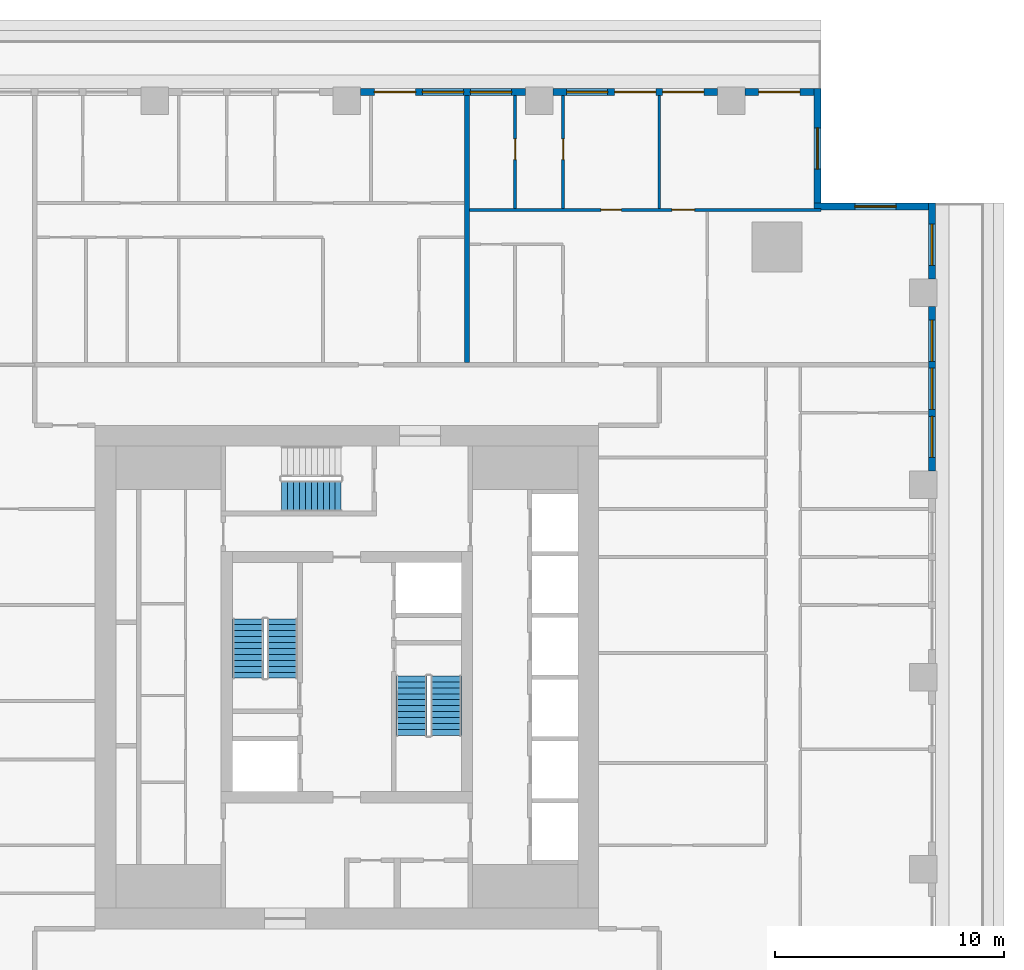
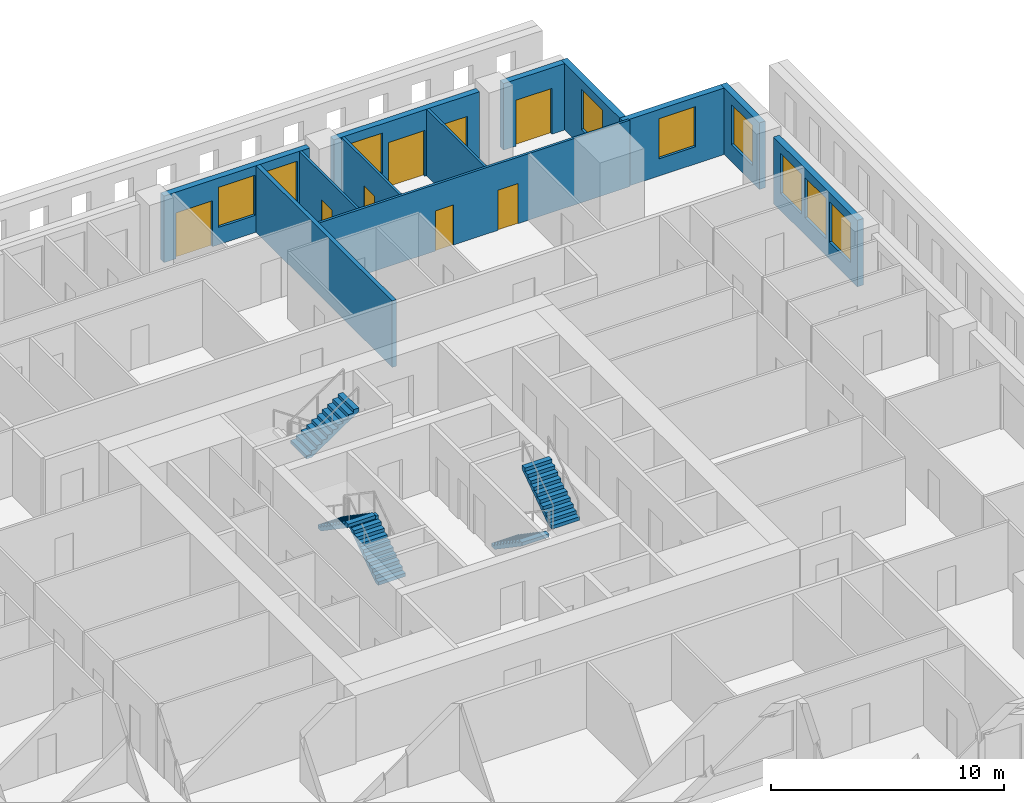
# One storey, part 9 of 15: 12 walls, 9 windows, 8 doors, 5 stair flights, 17 openings, 3 elements without a shape of their own.
"""IFC4 building model written with IfcOpenShell, lengths in metres."""

from ifc_helpers import new_model, si_unit, direction, frame, frame_2d, origin, place, context, subcontext, project, spatial, polyline, rectangle, outline, extrude, material, layer, layer_set, type_object, element, fill, aggregate, save


model = new_model("IFC4")

# Units and contexts
model_context = context("Model", 3, precision=1e-05, world=origin(), true_north=direction((0.0, 1.0)))
body_context = subcontext(model_context, "Body", "Model", "MODEL_VIEW")
ifc_project = project(units=[si_unit("LENGTHUNIT", "METRE"), si_unit("AREAUNIT", "SQUARE_METRE"), si_unit("VOLUMEUNIT", "CUBIC_METRE"), si_unit("PLANEANGLEUNIT", "RADIAN"), si_unit("MASSUNIT", "GRAM", prefix="KILO")], contexts=[model_context])

# Site, building, storey
site_placement = place(None, origin())
site = spatial("IfcSite", under=ifc_project, at=site_placement, CompositionType="ELEMENT")
building_placement = place(site_placement, origin())
building = spatial("IfcBuilding", under=site, at=building_placement, Name="Khepri Terraces", CompositionType="ELEMENT")
storey_placement = place(building_placement, frame((0.0, 0.0, 252.300048828125)))
storey = spatial("IfcBuildingStorey", under=building, at=storey_placement, Name="L60", CompositionType="ELEMENT", Elevation=252.300048828125)

# Wall
ifc_material_1 = material(Name="Fire-rated gypsum plasterboard partition, mineral wool")
ifc_layer_1 = layer(ifc_material_1, 0.199951171875, Name="Fire-rated gypsum plasterboard partition, mineral wool")
ifc_layer_set_1 = layer_set([ifc_layer_1], Name="Fire-rated gypsum plasterboard partition, mineral wool")
wall_type_1 = type_object("IfcWallType", Name="WL-CORR-200", PredefinedType="PARTITIONING", material=ifc_layer_set_1)
wall_1_placement = place(storey_placement, frame((5.25, 13.75, 0.0), z_axis=(0.0, 0.0, 1.0), x_axis=(0.0, 1.0, 0.0)))
element("IfcWall", 1, at=wall_1_placement, inside=storey, type_object=wall_type_1, Name="Partition P-089 L60", PredefinedType="PARTITIONING", context=body_context, shape_type="SweptSolid", body=[
    extrude(rectangle(XDim=11.669921875, YDim=0.199951171875, at=frame_2d((5.8349609375, 0.0))), origin(), (0.0, 0.0, 1.0), 3.47998046875),
])

# Wall, openings, windows
ifc_material_2 = material(Name="Precast concrete C50/60 warm stone", Category="masonry")
ifc_layer_2 = layer(ifc_material_2, 0.300048828125, Name="Precast concrete C50/60 warm stone", Category="masonry")
ifc_layer_set_2 = layer_set([ifc_layer_2], Name="Precast concrete C50/60 warm stone")
wall_type_2 = type_object("IfcWallType", Name="WL-EXT-PRECAST-300", PredefinedType="STANDARD", material=ifc_layer_set_2)
wall_2_placement = place(storey_placement, frame((25.570068359375, 9.0, 0.0), z_axis=(0.0, 0.0, 1.0), x_axis=(0.0, 1.0, 0.0)))
wall_2 = element("IfcWall", 2, at=wall_2_placement, inside=storey, type_object=wall_type_2, Name="External wall L60 E", PredefinedType="STANDARD", context=body_context, shape_type="SweptSolid", body=[
    extrude(rectangle(XDim=7.199951171875, YDim=0.300048828125, at=frame_2d((3.60009765625, 0.0))), origin(), (0.0, 0.0, 1.0), 3.47998046875),
])
opening_1_placement = place(wall_2_placement, frame((0.60009765625, 0.0, 0.89990234375)))
opening_1 = element("IfcOpeningElement", 3, at=opening_1_placement, cuts=wall_2, Name="Opening W1", PredefinedType="OPENING", context=body_context, shape_type="SweptSolid", body=[
    extrude(rectangle(XDim=1.800048828125, YDim=2.10009765625, at=frame_2d((0.89990234375, 1.050048828125))), frame((0.0, 0.16015625, 0.0), z_axis=(0.0, -1.0, 0.0), x_axis=(1.0, 0.0, 0.0)), (0.0, 0.0, 1.0), 0.320068359375),
])
opening_2_placement = place(wall_2_placement, frame((2.699951171875, 0.0, 0.89990234375)))
opening_2 = element("IfcOpeningElement", 4, at=opening_2_placement, cuts=wall_2, Name="Opening W1", PredefinedType="OPENING", context=body_context, shape_type="SweptSolid", body=[
    extrude(rectangle(XDim=1.800048828125, YDim=2.10009765625, at=frame_2d((0.89990234375, 1.050048828125))), frame((0.0, 0.16015625, 0.0), z_axis=(0.0, -1.0, 0.0), x_axis=(1.0, 0.0, 0.0)), (0.0, 0.0, 1.0), 0.320068359375),
])
opening_3_placement = place(wall_2_placement, frame((4.800048828125, 0.0, 0.89990234375)))
opening_3 = element("IfcOpeningElement", 5, at=opening_3_placement, cuts=wall_2, Name="Opening W1", PredefinedType="OPENING", context=body_context, shape_type="SweptSolid", body=[
    extrude(rectangle(XDim=1.800048828125, YDim=2.10009765625, at=frame_2d((0.89990234375, 1.050048828125))), frame((0.0, 0.16015625, 0.0), z_axis=(0.0, -1.0, 0.0), x_axis=(1.0, 0.0, 0.0)), (0.0, 0.0, 1.0), 0.320068359375),
])
ifc_material_3 = material(Name="Clear glass", Category="glass")
window_type = type_object("IfcWindowType", Name="WIN-RES-1800x2100", PartitioningType="SINGLE_PANEL", PredefinedType="WINDOW", material=ifc_material_3)
window_1_placement = place(opening_1_placement, origin())
window_1 = element("IfcWindow", 6, at=window_1_placement, inside=storey, type_object=window_type, Name="Window L60 E", OverallHeight=2.10009765625, OverallWidth=1.800048828125, PartitioningType="SINGLE_PANEL", PredefinedType="WINDOW", context=body_context, shape_type="SweptSolid", body=[
    extrude(rectangle(XDim=1.800048828125, YDim=2.10009765625, at=frame_2d((0.89990234375, 1.050048828125))), frame((0.0, 0.030029296875, 0.0), z_axis=(0.0, -1.0, 0.0), x_axis=(1.0, 0.0, 0.0)), (0.0, 0.0, 1.0), 0.06005859375),
])
fill(opening_1, window_1)
window_2_placement = place(opening_2_placement, origin())
window_2 = element("IfcWindow", 7, at=window_2_placement, inside=storey, type_object=window_type, Name="Window L60 E", OverallHeight=2.10009765625, OverallWidth=1.800048828125, PartitioningType="SINGLE_PANEL", PredefinedType="WINDOW", context=body_context, shape_type="SweptSolid", body=[
    extrude(rectangle(XDim=1.800048828125, YDim=2.10009765625, at=frame_2d((0.89990234375, 1.050048828125))), frame((0.0, 0.030029296875, 0.0), z_axis=(0.0, -1.0, 0.0), x_axis=(1.0, 0.0, 0.0)), (0.0, 0.0, 1.0), 0.06005859375),
])
fill(opening_2, window_2)
window_3_placement = place(opening_3_placement, origin())
window_3 = element("IfcWindow", 8, at=window_3_placement, inside=storey, type_object=window_type, Name="Window L60 E", OverallHeight=2.10009765625, OverallWidth=1.800048828125, PartitioningType="SINGLE_PANEL", PredefinedType="WINDOW", context=body_context, shape_type="SweptSolid", body=[
    extrude(rectangle(XDim=1.800048828125, YDim=2.10009765625, at=frame_2d((0.89990234375, 1.050048828125))), frame((0.0, 0.030029296875, 0.0), z_axis=(0.0, -1.0, 0.0), x_axis=(1.0, 0.0, 0.0)), (0.0, 0.0, 1.0), 0.06005859375),
])
fill(opening_3, window_3)

# Wall, opening, window
wall_3_placement = place(storey_placement, frame((25.570068359375, 17.39990234375, 0.0), z_axis=(0.0, 0.0, 1.0), x_axis=(0.0, 1.0, 0.0)))
wall_3 = element("IfcWall", 9, at=wall_3_placement, inside=storey, type_object=wall_type_2, Name="External wall L60 E", PredefinedType="STANDARD", context=body_context, shape_type="SweptSolid", body=[
    extrude(rectangle(XDim=3.320068359375, YDim=0.300048828125, at=frame_2d((1.66015625, 0.0))), origin(), (0.0, 0.0, 1.0), 3.47998046875),
])
opening_4_placement = place(wall_3_placement, frame((0.60009765625, 0.0, 0.89990234375)))
opening_4 = element("IfcOpeningElement", 10, at=opening_4_placement, cuts=wall_3, Name="Opening W1", PredefinedType="OPENING", context=body_context, shape_type="SweptSolid", body=[
    extrude(rectangle(XDim=1.800048828125, YDim=2.10009765625, at=frame_2d((0.89990234375, 1.050048828125))), frame((0.0, 0.16015625, 0.0), z_axis=(0.0, -1.0, 0.0), x_axis=(1.0, 0.0, 0.0)), (0.0, 0.0, 1.0), 0.320068359375),
])
window_4_placement = place(opening_4_placement, origin())
window_4 = element("IfcWindow", 11, at=window_4_placement, inside=storey, type_object=window_type, Name="Window L60 E", OverallHeight=2.10009765625, OverallWidth=1.800048828125, PartitioningType="SINGLE_PANEL", PredefinedType="WINDOW", context=body_context, shape_type="SweptSolid", body=[
    extrude(rectangle(XDim=1.800048828125, YDim=2.10009765625, at=frame_2d((0.89990234375, 1.050048828125))), frame((0.0, 0.030029296875, 0.0), z_axis=(0.0, -1.0, 0.0), x_axis=(1.0, 0.0, 0.0)), (0.0, 0.0, 1.0), 0.06005859375),
])
fill(opening_4, window_4)

wall_4_placement = place(storey_placement, frame((25.419921875, 20.570068359375, 0.0), z_axis=(0.0, 0.0, 1.0), x_axis=(-1.0, 0.0, 0.0)))
wall_4 = element("IfcWall", 12, at=wall_4_placement, inside=storey, type_object=wall_type_2, Name="External wall L60 N", PredefinedType="STANDARD", context=body_context, shape_type="SweptSolid", body=[
    extrude(rectangle(XDim=5.0, YDim=0.300048828125, at=frame_2d((2.5, 0.0))), origin(), (0.0, 0.0, 1.0), 3.47998046875),
])
opening_5_placement = place(wall_4_placement, frame((1.419921875, 0.0, 0.89990234375)))
opening_5 = element("IfcOpeningElement", 13, at=opening_5_placement, cuts=wall_4, Name="Opening W1", PredefinedType="OPENING", context=body_context, shape_type="SweptSolid", body=[
    extrude(rectangle(XDim=1.800048828125, YDim=2.10009765625, at=frame_2d((0.89990234375, 1.050048828125))), frame((0.0, 0.16015625, 0.0), z_axis=(0.0, -1.0, 0.0), x_axis=(1.0, 0.0, 0.0)), (0.0, 0.0, 1.0), 0.320068359375),
])
window_5_placement = place(opening_5_placement, origin())
window_5 = element("IfcWindow", 14, at=window_5_placement, inside=storey, type_object=window_type, Name="Window L60 N", OverallHeight=2.10009765625, OverallWidth=1.800048828125, PartitioningType="SINGLE_PANEL", PredefinedType="WINDOW", context=body_context, shape_type="SweptSolid", body=[
    extrude(rectangle(XDim=1.800048828125, YDim=2.10009765625, at=frame_2d((0.89990234375, 1.050048828125))), frame((0.0, 0.030029296875, 0.0), z_axis=(0.0, -1.0, 0.0), x_axis=(1.0, 0.0, 0.0)), (0.0, 0.0, 1.0), 0.06005859375),
])
fill(opening_5, window_5)

wall_5_placement = place(storey_placement, frame((20.570068359375, 20.719970703125, 0.0), z_axis=(0.0, 0.0, 1.0), x_axis=(0.0, 1.0, 0.0)))
wall_5 = element("IfcWall", 15, at=wall_5_placement, inside=storey, type_object=wall_type_2, Name="External wall L60 E", PredefinedType="STANDARD", context=body_context, shape_type="SweptSolid", body=[
    extrude(rectangle(XDim=5.0, YDim=0.300048828125, at=frame_2d((2.5, 0.0))), origin(), (0.0, 0.0, 1.0), 3.47998046875),
])
opening_6_placement = place(wall_5_placement, frame((1.47998046875, 0.0, 0.89990234375)))
opening_6 = element("IfcOpeningElement", 16, at=opening_6_placement, cuts=wall_5, Name="Opening W1", PredefinedType="OPENING", context=body_context, shape_type="SweptSolid", body=[
    extrude(rectangle(XDim=1.800048828125, YDim=2.10009765625, at=frame_2d((0.89990234375, 1.050048828125))), frame((0.0, 0.16015625, 0.0), z_axis=(0.0, -1.0, 0.0), x_axis=(1.0, 0.0, 0.0)), (0.0, 0.0, 1.0), 0.320068359375),
])
window_6_placement = place(opening_6_placement, origin())
window_6 = element("IfcWindow", 17, at=window_6_placement, inside=storey, type_object=window_type, Name="Window L60 E", OverallHeight=2.10009765625, OverallWidth=1.800048828125, PartitioningType="SINGLE_PANEL", PredefinedType="WINDOW", context=body_context, shape_type="SweptSolid", body=[
    extrude(rectangle(XDim=1.800048828125, YDim=2.10009765625, at=frame_2d((0.89990234375, 1.050048828125))), frame((0.0, 0.030029296875, 0.0), z_axis=(0.0, -1.0, 0.0), x_axis=(1.0, 0.0, 0.0)), (0.0, 0.0, 1.0), 0.06005859375),
])
fill(opening_6, window_6)

# Wall, opening, door
wall_6_placement = place(storey_placement, frame((20.419921875, 25.570068359375, 0.0), z_axis=(0.0, 0.0, 1.0), x_axis=(-1.0, 0.0, 0.0)))
wall_6 = element("IfcWall", 18, at=wall_6_placement, inside=storey, type_object=wall_type_2, Name="External wall L60 N", PredefinedType="STANDARD", context=body_context, shape_type="SweptSolid", body=[
    extrude(rectangle(XDim=3.02001953125, YDim=0.300048828125, at=frame_2d((1.510009765625, 0.0))), origin(), (0.0, 0.0, 1.0), 3.47998046875),
])
opening_7_placement = place(wall_6_placement, frame((0.6201171875, 0.0, 0.0)))
opening_7 = element("IfcOpeningElement", 19, at=opening_7_placement, cuts=wall_6, Name="Opening ED-L60-07", PredefinedType="OPENING", context=body_context, shape_type="SweptSolid", body=[
    extrude(rectangle(XDim=1.800048828125, YDim=2.39990234375, at=frame_2d((0.89990234375, 1.199951171875))), frame((0.0, 0.16015625, 0.0), z_axis=(0.0, -1.0, 0.0), x_axis=(1.0, 0.0, 0.0)), (0.0, 0.0, 1.0), 0.320068359375),
])
ifc_material_4 = material(Name="Anodised aluminium bronze glazed door", Category="aluminium")
door_type_1 = type_object("IfcDoorType", Name="DR-BAL-SLIDE-1800x2400", OperationType="NOTDEFINED", PredefinedType="DOOR", material=ifc_material_4)
door_1_placement = place(opening_7_placement, origin())
door_1 = element("IfcDoor", 20, at=door_1_placement, inside=storey, type_object=door_type_1, Name="Balcony door L60 N", OperationType="SLIDING_TO_RIGHT", OverallHeight=2.39990234375, OverallWidth=1.800048828125, PredefinedType="DOOR", context=body_context, shape_type="SweptSolid", body=[
    extrude(rectangle(XDim=1.800048828125, YDim=2.39990234375, at=frame_2d((0.89990234375, 1.199951171875))), frame((0.0, 0.02490234375, 0.0), z_axis=(0.0, -1.0, 0.0), x_axis=(1.0, 0.0, 0.0)), (0.0, 0.0, 1.0), 0.050048828125),
])
fill(opening_7, door_1)

# Wall, openings, doors, window
wall_7_placement = place(storey_placement, frame((16.199951171875, 25.570068359375, 0.0), z_axis=(0.0, 0.0, 1.0), x_axis=(-1.0, 0.0, 0.0)))
wall_7 = element("IfcWall", 21, at=wall_7_placement, inside=storey, type_object=wall_type_2, Name="External wall L60 N", PredefinedType="STANDARD", context=body_context, shape_type="SweptSolid", body=[
    extrude(rectangle(XDim=7.199951171875, YDim=0.300048828125, at=frame_2d((3.60009765625, 0.0))), origin(), (0.0, 0.0, 1.0), 3.47998046875),
])
opening_8_placement = place(wall_7_placement, frame((0.60009765625, 0.0, 0.0)))
opening_8 = element("IfcOpeningElement", 22, at=opening_8_placement, cuts=wall_7, Name="Opening ED-L60-08", PredefinedType="OPENING", context=body_context, shape_type="SweptSolid", body=[
    extrude(rectangle(XDim=1.800048828125, YDim=2.39990234375, at=frame_2d((0.89990234375, 1.199951171875))), frame((0.0, 0.16015625, 0.0), z_axis=(0.0, -1.0, 0.0), x_axis=(1.0, 0.0, 0.0)), (0.0, 0.0, 1.0), 0.320068359375),
])
opening_9_placement = place(wall_7_placement, frame((2.699951171875, 0.0, 0.0)))
opening_9 = element("IfcOpeningElement", 23, at=opening_9_placement, cuts=wall_7, Name="Opening ED-L60-09", PredefinedType="OPENING", context=body_context, shape_type="SweptSolid", body=[
    extrude(rectangle(XDim=1.800048828125, YDim=2.39990234375, at=frame_2d((0.89990234375, 1.199951171875))), frame((0.0, 0.16015625, 0.0), z_axis=(0.0, -1.0, 0.0), x_axis=(1.0, 0.0, 0.0)), (0.0, 0.0, 1.0), 0.320068359375),
])
opening_10_placement = place(wall_7_placement, frame((4.800048828125, 0.0, 0.89990234375)))
opening_10 = element("IfcOpeningElement", 24, at=opening_10_placement, cuts=wall_7, Name="Opening W1", PredefinedType="OPENING", context=body_context, shape_type="SweptSolid", body=[
    extrude(rectangle(XDim=1.800048828125, YDim=2.10009765625, at=frame_2d((0.89990234375, 1.050048828125))), frame((0.0, 0.16015625, 0.0), z_axis=(0.0, -1.0, 0.0), x_axis=(1.0, 0.0, 0.0)), (0.0, 0.0, 1.0), 0.320068359375),
])
door_2_placement = place(opening_8_placement, origin())
door_2 = element("IfcDoor", 25, at=door_2_placement, inside=storey, type_object=door_type_1, Name="Balcony door L60 N", OperationType="SLIDING_TO_LEFT", OverallHeight=2.39990234375, OverallWidth=1.800048828125, PredefinedType="DOOR", context=body_context, shape_type="SweptSolid", body=[
    extrude(rectangle(XDim=1.800048828125, YDim=2.39990234375, at=frame_2d((0.89990234375, 1.199951171875))), frame((0.0, 0.02490234375, 0.0), z_axis=(0.0, -1.0, 0.0), x_axis=(1.0, 0.0, 0.0)), (0.0, 0.0, 1.0), 0.050048828125),
])
fill(opening_8, door_2)
door_3_placement = place(opening_9_placement, origin())
door_3 = element("IfcDoor", 26, at=door_3_placement, inside=storey, type_object=door_type_1, Name="Balcony door L60 N", OperationType="SLIDING_TO_RIGHT", OverallHeight=2.39990234375, OverallWidth=1.800048828125, PredefinedType="DOOR", context=body_context, shape_type="SweptSolid", body=[
    extrude(rectangle(XDim=1.800048828125, YDim=2.39990234375, at=frame_2d((0.89990234375, 1.199951171875))), frame((0.0, 0.02490234375, 0.0), z_axis=(0.0, -1.0, 0.0), x_axis=(1.0, 0.0, 0.0)), (0.0, 0.0, 1.0), 0.050048828125),
])
fill(opening_9, door_3)
window_7_placement = place(opening_10_placement, origin())
window_7 = element("IfcWindow", 27, at=window_7_placement, inside=storey, type_object=window_type, Name="Window L60 N", OverallHeight=2.10009765625, OverallWidth=1.800048828125, PartitioningType="SINGLE_PANEL", PredefinedType="WINDOW", context=body_context, shape_type="SweptSolid", body=[
    extrude(rectangle(XDim=1.800048828125, YDim=2.10009765625, at=frame_2d((0.89990234375, 1.050048828125))), frame((0.0, 0.030029296875, 0.0), z_axis=(0.0, -1.0, 0.0), x_axis=(1.0, 0.0, 0.0)), (0.0, 0.0, 1.0), 0.06005859375),
])
fill(opening_10, window_7)

# Wall, openings, door, windows
wall_8_placement = place(storey_placement, frame((7.800048828125, 25.570068359375, 0.0), z_axis=(0.0, 0.0, 1.0), x_axis=(-1.0, 0.0, 0.0)))
wall_8 = element("IfcWall", 28, at=wall_8_placement, inside=storey, type_object=wall_type_2, Name="External wall L60 N", PredefinedType="STANDARD", context=body_context, shape_type="SweptSolid", body=[
    extrude(rectangle(XDim=7.199951171875, YDim=0.300048828125, at=frame_2d((3.60009765625, 0.0))), origin(), (0.0, 0.0, 1.0), 3.47998046875),
])
opening_11_placement = place(wall_8_placement, frame((0.60009765625, 0.0, 0.89990234375)))
opening_11 = element("IfcOpeningElement", 29, at=opening_11_placement, cuts=wall_8, Name="Opening W1", PredefinedType="OPENING", context=body_context, shape_type="SweptSolid", body=[
    extrude(rectangle(XDim=1.800048828125, YDim=2.10009765625, at=frame_2d((0.89990234375, 1.050048828125))), frame((0.0, 0.16015625, 0.0), z_axis=(0.0, -1.0, 0.0), x_axis=(1.0, 0.0, 0.0)), (0.0, 0.0, 1.0), 0.320068359375),
])
opening_12_placement = place(wall_8_placement, frame((2.699951171875, 0.0, 0.89990234375)))
opening_12 = element("IfcOpeningElement", 30, at=opening_12_placement, cuts=wall_8, Name="Opening W1", PredefinedType="OPENING", context=body_context, shape_type="SweptSolid", body=[
    extrude(rectangle(XDim=1.800048828125, YDim=2.10009765625, at=frame_2d((0.89990234375, 1.050048828125))), frame((0.0, 0.16015625, 0.0), z_axis=(0.0, -1.0, 0.0), x_axis=(1.0, 0.0, 0.0)), (0.0, 0.0, 1.0), 0.320068359375),
])
opening_13_placement = place(wall_8_placement, frame((4.800048828125, 0.0, 0.0)))
opening_13 = element("IfcOpeningElement", 31, at=opening_13_placement, cuts=wall_8, Name="Opening ED-L60-10", PredefinedType="OPENING", context=body_context, shape_type="SweptSolid", body=[
    extrude(rectangle(XDim=1.800048828125, YDim=2.39990234375, at=frame_2d((0.89990234375, 1.199951171875))), frame((0.0, 0.16015625, 0.0), z_axis=(0.0, -1.0, 0.0), x_axis=(1.0, 0.0, 0.0)), (0.0, 0.0, 1.0), 0.320068359375),
])
door_4_placement = place(opening_13_placement, origin())
door_4 = element("IfcDoor", 32, at=door_4_placement, inside=storey, type_object=door_type_1, Name="Balcony door L60 N", OperationType="SLIDING_TO_RIGHT", OverallHeight=2.39990234375, OverallWidth=1.800048828125, PredefinedType="DOOR", context=body_context, shape_type="SweptSolid", body=[
    extrude(rectangle(XDim=1.800048828125, YDim=2.39990234375, at=frame_2d((0.89990234375, 1.199951171875))), frame((0.0, 0.02490234375, 0.0), z_axis=(0.0, -1.0, 0.0), x_axis=(1.0, 0.0, 0.0)), (0.0, 0.0, 1.0), 0.050048828125),
])
fill(opening_13, door_4)
window_8_placement = place(opening_11_placement, origin())
window_8 = element("IfcWindow", 33, at=window_8_placement, inside=storey, type_object=window_type, Name="Window L60 N", OverallHeight=2.10009765625, OverallWidth=1.800048828125, PartitioningType="SINGLE_PANEL", PredefinedType="WINDOW", context=body_context, shape_type="SweptSolid", body=[
    extrude(rectangle(XDim=1.800048828125, YDim=2.10009765625, at=frame_2d((0.89990234375, 1.050048828125))), frame((0.0, 0.030029296875, 0.0), z_axis=(0.0, -1.0, 0.0), x_axis=(1.0, 0.0, 0.0)), (0.0, 0.0, 1.0), 0.06005859375),
])
fill(opening_11, window_8)
window_9_placement = place(opening_12_placement, origin())
window_9 = element("IfcWindow", 34, at=window_9_placement, inside=storey, type_object=window_type, Name="Window L60 N", OverallHeight=2.10009765625, OverallWidth=1.800048828125, PartitioningType="SINGLE_PANEL", PredefinedType="WINDOW", context=body_context, shape_type="SweptSolid", body=[
    extrude(rectangle(XDim=1.800048828125, YDim=2.10009765625, at=frame_2d((0.89990234375, 1.050048828125))), frame((0.0, 0.030029296875, 0.0), z_axis=(0.0, -1.0, 0.0), x_axis=(1.0, 0.0, 0.0)), (0.0, 0.0, 1.0), 0.06005859375),
])
fill(opening_12, window_9)

# Wall, openings, doors
ifc_material_5 = material(Name="Gypsum plasterboard partition")
ifc_layer_3 = layer(ifc_material_5, 0.1201171875, Name="Gypsum plasterboard partition")
ifc_layer_set_3 = layer_set([ifc_layer_3], Name="Gypsum plasterboard partition")
wall_type_3 = type_object("IfcWallType", Name="WL-PART-120", PredefinedType="PARTITIONING", material=ifc_layer_set_3)
wall_9_placement = place(storey_placement, frame((5.35009765625, 20.419921875, 0.0), z_axis=(0.0, 0.0, 1.0), x_axis=(1.0, 0.0, 0.0)))
wall_9 = element("IfcWall", 35, at=wall_9_placement, inside=storey, type_object=wall_type_3, Name="Partition P-096 L60", PredefinedType="PARTITIONING", context=body_context, shape_type="SweptSolid", body=[
    extrude(rectangle(XDim=15.368896484375, YDim=0.1201171875, at=frame_2d((7.6845703125, 0.0))), origin(), (0.0, 0.0, 1.0), 3.47998046875),
])
opening_14_placement = place(wall_9_placement, frame((8.85009765625, 0.0, 0.0)))
opening_14 = element("IfcOpeningElement", 36, at=opening_14_placement, cuts=wall_9, Name="Opening D2", PredefinedType="OPENING", context=body_context, shape_type="SweptSolid", body=[
    extrude(rectangle(XDim=1.0, YDim=2.10009765625, at=frame_2d((0.5, 1.050048828125))), frame((0.0, 0.070068359375, 0.0), z_axis=(0.0, -1.0, 0.0), x_axis=(1.0, 0.0, 0.0)), (0.0, 0.0, 1.0), 0.14013671875),
])
opening_15_placement = place(wall_9_placement, frame((5.75, 0.0, 0.0)))
opening_15 = element("IfcOpeningElement", 37, at=opening_15_placement, cuts=wall_9, Name="Opening D3", PredefinedType="OPENING", context=body_context, shape_type="SweptSolid", body=[
    extrude(rectangle(XDim=0.89990234375, YDim=2.10009765625, at=frame_2d((0.449951171875, 1.050048828125))), frame((0.0, 0.070068359375, 0.0), z_axis=(0.0, -1.0, 0.0), x_axis=(1.0, 0.0, 0.0)), (0.0, 0.0, 1.0), 0.14013671875),
])
ifc_material_6 = material(Name="Timber door leaf, living room door", Category="wood")
door_type_2 = type_object("IfcDoorType", Name="DR-INT-1000", OperationType="NOTDEFINED", PredefinedType="DOOR", material=ifc_material_6)
door_5_placement = place(opening_14_placement, origin())
door_5 = element("IfcDoor", 38, at=door_5_placement, inside=storey, type_object=door_type_2, Name="Door Living Room", OperationType="SINGLE_SWING_RIGHT", OverallHeight=2.10009765625, OverallWidth=1.0, PredefinedType="DOOR", context=body_context, shape_type="SweptSolid", body=[
    extrude(rectangle(XDim=1.0, YDim=2.10009765625, at=frame_2d((0.5, 1.050048828125))), frame((0.0, 0.02490234375, 0.0), z_axis=(0.0, -1.0, 0.0), x_axis=(1.0, 0.0, 0.0)), (0.0, 0.0, 1.0), 0.050048828125),
])
fill(opening_14, door_5)
ifc_material_7 = material(Name="Timber door leaf", Category="wood")
door_type_3 = type_object("IfcDoorType", Name="DR-INT-900", OperationType="NOTDEFINED", PredefinedType="DOOR", material=ifc_material_7)
door_6_placement = place(opening_15_placement, origin())
door_6 = element("IfcDoor", 39, at=door_6_placement, inside=storey, type_object=door_type_3, Name="Door Master Bedroom", OperationType="SINGLE_SWING_LEFT", OverallHeight=2.10009765625, OverallWidth=0.89990234375, PredefinedType="DOOR", context=body_context, shape_type="SweptSolid", body=[
    extrude(rectangle(XDim=0.89990234375, YDim=2.10009765625, at=frame_2d((0.449951171875, 1.050048828125))), frame((0.0, 0.02490234375, 0.0), z_axis=(0.0, -1.0, 0.0), x_axis=(1.0, 0.0, 0.0)), (0.0, 0.0, 1.0), 0.050048828125),
])
fill(opening_15, door_6)

# Wall, opening, door
wall_10_placement = place(storey_placement, frame((7.35009765625, 20.47998046875, 0.0), z_axis=(0.0, 0.0, 1.0), x_axis=(0.0, 1.0, 0.0)))
wall_10 = element("IfcWall", 40, at=wall_10_placement, inside=storey, type_object=wall_type_3, Name="Partition P-097 L60", PredefinedType="PARTITIONING", context=body_context, shape_type="SweptSolid", body=[
    extrude(rectangle(XDim=4.93994140625, YDim=0.1201171875, at=frame_2d((2.469970703125, 0.0))), origin(), (0.0, 0.0, 1.0), 3.47998046875),
])
opening_16_placement = place(wall_10_placement, frame((2.139892578125, 0.0, 0.0)))
opening_16 = element("IfcOpeningElement", 41, at=opening_16_placement, cuts=wall_10, Name="Opening D4", PredefinedType="OPENING", context=body_context, shape_type="SweptSolid", body=[
    extrude(rectangle(XDim=0.89990234375, YDim=2.10009765625, at=frame_2d((0.449951171875, 1.050048828125))), frame((0.0, 0.070068359375, 0.0), z_axis=(0.0, -1.0, 0.0), x_axis=(1.0, 0.0, 0.0)), (0.0, 0.0, 1.0), 0.14013671875),
])
ifc_material_8 = material(Name="Timber door leaf, moisture resistant", Category="wood")
door_type_4 = type_object("IfcDoorType", Name="DR-WET-900", OperationType="NOTDEFINED", PredefinedType="DOOR", material=ifc_material_8)
door_7_placement = place(opening_16_placement, origin())
door_7 = element("IfcDoor", 42, at=door_7_placement, inside=storey, type_object=door_type_4, Name="Door Bathroom", OperationType="SINGLE_SWING_RIGHT", OverallHeight=2.10009765625, OverallWidth=0.89990234375, PredefinedType="DOOR", context=body_context, shape_type="SweptSolid", body=[
    extrude(rectangle(XDim=0.89990234375, YDim=2.10009765625, at=frame_2d((0.449951171875, 1.050048828125))), frame((0.0, 0.02490234375, 0.0), z_axis=(0.0, -1.0, 0.0), x_axis=(1.0, 0.0, 0.0)), (0.0, 0.0, 1.0), 0.050048828125),
])
fill(opening_16, door_7)

wall_11_placement = place(storey_placement, frame((9.449951171875, 20.47998046875, 0.0), z_axis=(0.0, 0.0, 1.0), x_axis=(0.0, 1.0, 0.0)))
wall_11 = element("IfcWall", 43, at=wall_11_placement, inside=storey, type_object=wall_type_3, Name="Partition P-098 L60", PredefinedType="PARTITIONING", context=body_context, shape_type="SweptSolid", body=[
    extrude(rectangle(XDim=4.93994140625, YDim=0.1201171875, at=frame_2d((2.469970703125, 0.0))), origin(), (0.0, 0.0, 1.0), 3.47998046875),
])
opening_17_placement = place(wall_11_placement, frame((2.139892578125, 0.0, 0.0)))
opening_17 = element("IfcOpeningElement", 44, at=opening_17_placement, cuts=wall_11, Name="Opening D3", PredefinedType="OPENING", context=body_context, shape_type="SweptSolid", body=[
    extrude(rectangle(XDim=0.89990234375, YDim=2.10009765625, at=frame_2d((0.449951171875, 1.050048828125))), frame((0.0, 0.070068359375, 0.0), z_axis=(0.0, -1.0, 0.0), x_axis=(1.0, 0.0, 0.0)), (0.0, 0.0, 1.0), 0.14013671875),
])
door_8_placement = place(opening_17_placement, origin())
door_8 = element("IfcDoor", 45, at=door_8_placement, inside=storey, type_object=door_type_3, Name="Door Dressing Room", OperationType="SINGLE_SWING_RIGHT", OverallHeight=2.10009765625, OverallWidth=0.89990234375, PredefinedType="DOOR", context=body_context, shape_type="SweptSolid", body=[
    extrude(rectangle(XDim=0.89990234375, YDim=2.10009765625, at=frame_2d((0.449951171875, 1.050048828125))), frame((0.0, 0.02490234375, 0.0), z_axis=(0.0, -1.0, 0.0), x_axis=(1.0, 0.0, 0.0)), (0.0, 0.0, 1.0), 0.050048828125),
])
fill(opening_17, door_8)

# Wall
wall_12_placement = place(storey_placement, frame((13.64990234375, 20.47998046875, 0.0), z_axis=(0.0, 0.0, 1.0), x_axis=(0.0, 1.0, 0.0)))
element("IfcWall", 46, at=wall_12_placement, inside=storey, type_object=wall_type_3, Name="Partition P-099 L60", PredefinedType="PARTITIONING", context=body_context, shape_type="SweptSolid", body=[
    extrude(rectangle(XDim=4.93994140625, YDim=0.1201171875, at=frame_2d((2.469970703125, 0.0))), origin(), (0.0, 0.0, 1.0), 3.47998046875),
])

# Stair, stair flights
ifc_material_9 = material(Name="Concrete C40/50", Category="concrete")
stair_type = type_object("IfcStairType", Name="STAIR-RC-22R", PredefinedType="HALF_TURN_STAIR", material=ifc_material_9)
stair_1_placement = place(storey_placement, origin())
stair_1 = element("IfcStair", 47, at=stair_1_placement, inside=storey, type_object=stair_type, Name="L60 Exit Stair ST-1", PredefinedType="HALF_TURN_STAIR")
stair_flight_type = type_object("IfcStairFlightType", Name="SFL-RC-177.3", PredefinedType="STRAIGHT", material=ifc_material_9)
stair_flight_1_placement = place(storey_placement, frame((-2.824951171875, -0.050048828125, 0.0), z_axis=(0.0, 0.0, 1.0), x_axis=(0.0, 1.0, 0.0)))
stair_flight_1 = element("IfcStairFlight", 48, at=stair_flight_1_placement, type_object=stair_flight_type, Name="ST-1 flight 1", NumberOfRisers=11, NumberOfTreads=10, PredefinedType="STRAIGHT", RiserHeight=0.177272727, TreadLength=0.26, context=body_context, shape_type="SweptSolid", body=[
    extrude(outline(polyline([(0.0, 0.0), (0.0, 0.17724609375), (0.260009765625, 0.17724609375), (0.260009765625, 0.3544921875), (0.52001953125, 0.3544921875), (0.52001953125, 0.53173828125), (0.780029296875, 0.53173828125), (0.780029296875, 0.708984375), (1.0400390625, 0.708984375), (1.0400390625, 0.886474609375), (1.300048828125, 0.886474609375), (1.300048828125, 1.063720703125), (1.56005859375, 1.063720703125), (1.56005859375, 1.240966796875), (1.820068359375, 1.240966796875), (1.820068359375, 1.418212890625), (2.080078125, 1.418212890625), (2.080078125, 1.595458984375), (2.340087890625, 1.595458984375), (2.340087890625, 1.772705078125), (2.60009765625, 1.772705078125), (2.60009765625, 1.949951171875), (2.60009765625, 1.59130859375), (0.26611328125, 0.0), (0.0, 0.0)])), frame((0.0, 0.675048828125, 0.0), z_axis=(0.0, -1.0, 0.0), x_axis=(1.0, 0.0, 0.0)), (0.0, 0.0, 1.0), 1.35009765625),
])
stair_flight_2_placement = place(storey_placement, frame((-4.324951171875, 2.550048828125, 1.949951171875), z_axis=(0.0, 0.0, 1.0), x_axis=(0.0, -1.0, 0.0)))
stair_flight_2 = element("IfcStairFlight", 49, at=stair_flight_2_placement, type_object=stair_flight_type, Name="ST-1 flight 2", NumberOfRisers=11, NumberOfTreads=10, PredefinedType="STRAIGHT", RiserHeight=0.177272727, TreadLength=0.26, context=body_context, shape_type="SweptSolid", body=[
    extrude(outline(polyline([(0.0, 0.0), (0.0, 0.17724609375), (0.260009765625, 0.17724609375), (0.260009765625, 0.3544921875), (0.52001953125, 0.3544921875), (0.52001953125, 0.53173828125), (0.780029296875, 0.53173828125), (0.780029296875, 0.708984375), (1.0400390625, 0.708984375), (1.0400390625, 0.886474609375), (1.300048828125, 0.886474609375), (1.300048828125, 1.063720703125), (1.56005859375, 1.063720703125), (1.56005859375, 1.240966796875), (1.820068359375, 1.240966796875), (1.820068359375, 1.418212890625), (2.080078125, 1.418212890625), (2.080078125, 1.595458984375), (2.340087890625, 1.595458984375), (2.340087890625, 1.772705078125), (2.60009765625, 1.772705078125), (2.60009765625, 1.949951171875), (2.60009765625, 1.59130859375), (0.26611328125, 0.0), (0.0, 0.0)])), frame((0.0, 0.675048828125, 0.0), z_axis=(0.0, -1.0, 0.0), x_axis=(1.0, 0.0, 0.0)), (0.0, 0.0, 1.0), 1.35009765625),
])
aggregate(stair_1, [stair_flight_1, stair_flight_2])

stair_2_placement = place(storey_placement, origin())
stair_2 = element("IfcStair", 50, at=stair_2_placement, inside=storey, type_object=stair_type, Name="L60 Exit Stair ST-2", PredefinedType="HALF_TURN_STAIR")
stair_flight_3_placement = place(storey_placement, frame((2.824951171875, 0.050048828125, 0.0), z_axis=(0.0, 0.0, 1.0), x_axis=(0.0, -1.0, 0.0)))
stair_flight_3 = element("IfcStairFlight", 51, at=stair_flight_3_placement, type_object=stair_flight_type, Name="ST-2 flight 1", NumberOfRisers=11, NumberOfTreads=10, PredefinedType="STRAIGHT", RiserHeight=0.177272727, TreadLength=0.26, context=body_context, shape_type="SweptSolid", body=[
    extrude(outline(polyline([(0.0, 0.0), (0.0, 0.17724609375), (0.260009765625, 0.17724609375), (0.260009765625, 0.3544921875), (0.52001953125, 0.3544921875), (0.52001953125, 0.53173828125), (0.780029296875, 0.53173828125), (0.780029296875, 0.708984375), (1.0400390625, 0.708984375), (1.0400390625, 0.886474609375), (1.300048828125, 0.886474609375), (1.300048828125, 1.063720703125), (1.56005859375, 1.063720703125), (1.56005859375, 1.240966796875), (1.820068359375, 1.240966796875), (1.820068359375, 1.418212890625), (2.080078125, 1.418212890625), (2.080078125, 1.595458984375), (2.340087890625, 1.595458984375), (2.340087890625, 1.772705078125), (2.60009765625, 1.772705078125), (2.60009765625, 1.949951171875), (2.60009765625, 1.59130859375), (0.26611328125, 0.0), (0.0, 0.0)])), frame((0.0, 0.675048828125, 0.0), z_axis=(0.0, -1.0, 0.0), x_axis=(1.0, 0.0, 0.0)), (0.0, 0.0, 1.0), 1.35009765625),
])
stair_flight_4_placement = place(storey_placement, frame((4.324951171875, -2.550048828125, 1.949951171875), z_axis=(0.0, 0.0, 1.0), x_axis=(0.0, 1.0, 0.0)))
stair_flight_4 = element("IfcStairFlight", 52, at=stair_flight_4_placement, type_object=stair_flight_type, Name="ST-2 flight 2", NumberOfRisers=11, NumberOfTreads=10, PredefinedType="STRAIGHT", RiserHeight=0.177272727, TreadLength=0.26, context=body_context, shape_type="SweptSolid", body=[
    extrude(outline(polyline([(0.0, 0.0), (0.0, 0.17724609375), (0.260009765625, 0.17724609375), (0.260009765625, 0.3544921875), (0.52001953125, 0.3544921875), (0.52001953125, 0.53173828125), (0.780029296875, 0.53173828125), (0.780029296875, 0.708984375), (1.0400390625, 0.708984375), (1.0400390625, 0.886474609375), (1.300048828125, 0.886474609375), (1.300048828125, 1.063720703125), (1.56005859375, 1.063720703125), (1.56005859375, 1.240966796875), (1.820068359375, 1.240966796875), (1.820068359375, 1.418212890625), (2.080078125, 1.418212890625), (2.080078125, 1.595458984375), (2.340087890625, 1.595458984375), (2.340087890625, 1.772705078125), (2.60009765625, 1.772705078125), (2.60009765625, 1.949951171875), (2.60009765625, 1.59130859375), (0.26611328125, 0.0), (0.0, 0.0)])), frame((0.0, 0.675048828125, 0.0), z_axis=(0.0, -1.0, 0.0), x_axis=(1.0, 0.0, 0.0)), (0.0, 0.0, 1.0), 1.35009765625),
])
aggregate(stair_2, [stair_flight_3, stair_flight_4])

# Stair, stair flight
stair_3_placement = place(storey_placement, origin())
stair_3 = element("IfcStair", 53, at=stair_3_placement, inside=storey, type_object=stair_type, Name="L60 Exit Stair ST-3", PredefinedType="HALF_TURN_STAIR")
stair_flight_5_placement = place(storey_placement, frame((-2.85009765625, 7.925048828125, 1.949951171875), z_axis=(0.0, 0.0, 1.0), x_axis=(1.0, 0.0, 0.0)))
stair_flight_5 = element("IfcStairFlight", 54, at=stair_flight_5_placement, type_object=stair_flight_type, Name="ST-3 flight 2", NumberOfRisers=11, NumberOfTreads=10, PredefinedType="STRAIGHT", RiserHeight=0.177272727, TreadLength=0.26, context=body_context, shape_type="SweptSolid", body=[
    extrude(outline(polyline([(0.0, 0.0), (0.0, 0.17724609375), (0.260009765625, 0.17724609375), (0.260009765625, 0.3544921875), (0.52001953125, 0.3544921875), (0.52001953125, 0.53173828125), (0.780029296875, 0.53173828125), (0.780029296875, 0.708984375), (1.0400390625, 0.708984375), (1.0400390625, 0.886474609375), (1.300048828125, 0.886474609375), (1.300048828125, 1.063720703125), (1.56005859375, 1.063720703125), (1.56005859375, 1.240966796875), (1.820068359375, 1.240966796875), (1.820068359375, 1.418212890625), (2.080078125, 1.418212890625), (2.080078125, 1.595458984375), (2.340087890625, 1.595458984375), (2.340087890625, 1.772705078125), (2.60009765625, 1.772705078125), (2.60009765625, 1.949951171875), (2.60009765625, 1.59130859375), (0.26611328125, 0.0), (0.0, 0.0)])), frame((0.0, 0.675048828125, 0.0), z_axis=(0.0, -1.0, 0.0), x_axis=(1.0, 0.0, 0.0)), (0.0, 0.0, 1.0), 1.35009765625),
])
aggregate(stair_3, [stair_flight_5])

save(model, "model.ifc")
